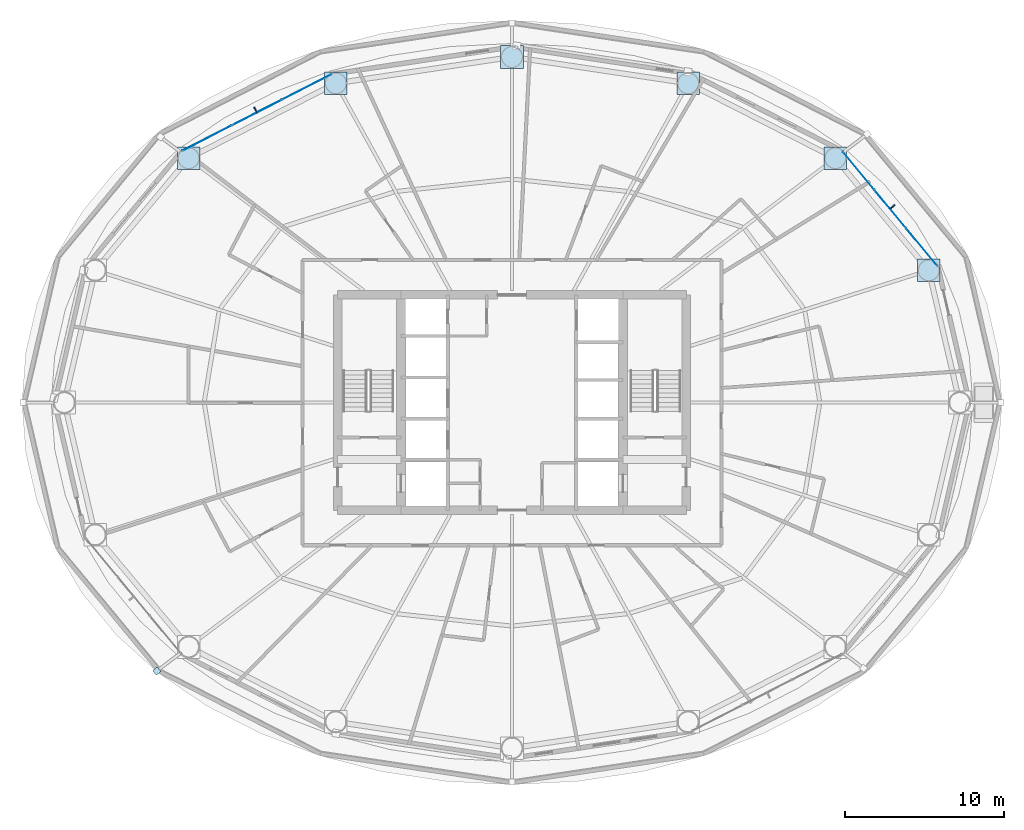
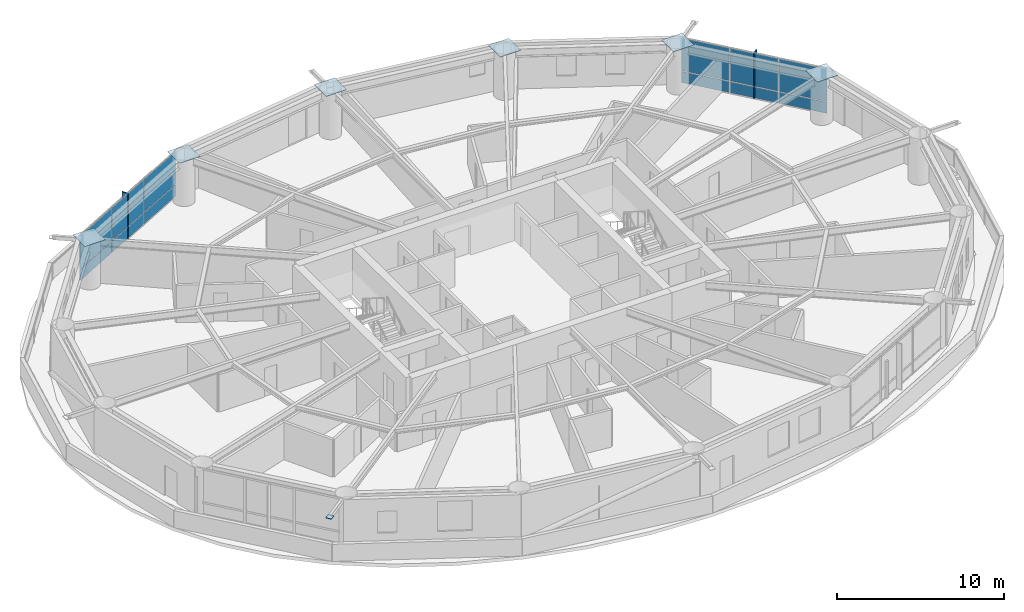
# One storey, part 17 of 25: 21 plates, 2 elements without a shape of their own.
"""IFC4 building model written with IfcOpenShell, lengths in metres."""

from ifc_helpers import new_model, si_unit, direction, frame, origin, origin_2d, place, context, subcontext, project, spatial, rectangle, extrude, material, layer, layer_set, type_object, element, aggregate, save


model = new_model("IFC4")

# Units and contexts
model_context = context("Model", 3, precision=1e-05, world=origin(), true_north=direction((0.0, 1.0)))
body_context = subcontext(model_context, "Body", "Model", "MODEL_VIEW")
ifc_project = project(units=[si_unit("LENGTHUNIT", "METRE"), si_unit("AREAUNIT", "SQUARE_METRE"), si_unit("VOLUMEUNIT", "CUBIC_METRE"), si_unit("PLANEANGLEUNIT", "RADIAN"), si_unit("MASSUNIT", "GRAM", prefix="KILO")], contexts=[model_context])

# Site, building, storey
site_placement = place(None, origin())
site = spatial("IfcSite", under=ifc_project, at=site_placement, CompositionType="ELEMENT")
building_placement = place(site_placement, origin())
building = spatial("IfcBuilding", under=site, at=building_placement, Name="Sarneth Arch Tower", CompositionType="ELEMENT")
storey_placement = place(building_placement, frame((0.0, 0.0, 84.0)))
storey = spatial("IfcBuildingStorey", under=building, at=storey_placement, Name="L20", CompositionType="ELEMENT", Elevation=84.0)

# Curtain wall, plates
ifc_material_1 = material(Name="Anodised aluminium Type AA25 and solar-control low-e laminated IGU", Category="aluminium")
ifc_layer_1 = layer(ifc_material_1, 0.159912109375)
ifc_layer_set_1 = layer_set([ifc_layer_1], Name="Anodised aluminium Type AA25 and solar-control low-e laminated IGU")
curtain_wall_type = type_object("IfcCurtainWallType", Name="CW-HOTEL-MID", PredefinedType="NOTDEFINED", material=ifc_layer_set_1)
curtain_wall_1_placement = place(storey_placement, origin())
curtain_wall_1 = element("IfcCurtainWall", 1, at=curtain_wall_1_placement, inside=storey, type_object=curtain_wall_type, Name="L20 Unitised curtain wall facet 02", PredefinedType="NOTDEFINED")
ifc_material_2 = material(Name="Solar-control low-e laminated IGU", Category="glass")
ifc_layer_2 = layer(ifc_material_2, 0.028076171875)
ifc_layer_set_2 = layer_set([ifc_layer_2], Name="Solar-control low-e laminated IGU")
plate_type_1 = type_object("IfcPlateType", Name="CW-PANEL", PredefinedType="CURTAIN_PANEL", material=ifc_layer_set_2)
plate_1_placement = place(storey_placement, frame((73.84814453125, 51.807861328125, 0.06005859375), z_axis=(0.0, 0.0, 1.0), x_axis=(-0.637515188684, 0.770437787363, 0.0)))
plate_1 = element("IfcPlate", 2, at=plate_1_placement, type_object=plate_type_1, Name="Curtain wall glazed vision pane CW-L20-F02/P00-00", PredefinedType="CURTAIN_PANEL", context=body_context, shape_type="SweptSolid", body=[
    extrude(rectangle(XDim=3.058349609375, YDim=0.028076171875, at=origin_2d()), origin(), (0.0, 0.0, 1.0), 0.81005859375),
])
plate_2_placement = place(storey_placement, frame((73.84814453125, 51.807861328125, 0.93017578125), z_axis=(0.0, 0.0, 1.0), x_axis=(-0.637515188684, 0.770437787363, 0.0)))
plate_2 = element("IfcPlate", 3, at=plate_2_placement, type_object=plate_type_1, Name="Curtain wall glazed vision pane CW-L20-F02/P00-01", PredefinedType="CURTAIN_PANEL", context=body_context, shape_type="SweptSolid", body=[
    extrude(rectangle(XDim=3.058349609375, YDim=0.028076171875, at=origin_2d()), origin(), (0.0, 0.0, 1.0), 2.389892578125),
])
plate_3_placement = place(storey_placement, frame((71.8505859375, 54.221923828125, 0.06005859375), z_axis=(0.0, 0.0, 1.0), x_axis=(-0.637515188684, 0.770437787363, 0.0)))
plate_3 = element("IfcPlate", 4, at=plate_3_placement, type_object=plate_type_1, Name="Curtain wall glazed vision pane CW-L20-F02/P01-00", PredefinedType="CURTAIN_PANEL", context=body_context, shape_type="SweptSolid", body=[
    extrude(rectangle(XDim=3.08837890625, YDim=0.028076171875, at=origin_2d()), origin(), (0.0, 0.0, 1.0), 0.81005859375),
])
plate_4_placement = place(storey_placement, frame((71.8505859375, 54.221923828125, 0.93017578125), z_axis=(0.0, 0.0, 1.0), x_axis=(-0.637515188684, 0.770437787363, 0.0)))
plate_4 = element("IfcPlate", 5, at=plate_4_placement, type_object=plate_type_1, Name="Curtain wall glazed vision pane CW-L20-F02/P01-01", PredefinedType="CURTAIN_PANEL", context=body_context, shape_type="SweptSolid", body=[
    extrude(rectangle(XDim=3.08837890625, YDim=0.028076171875, at=origin_2d()), origin(), (0.0, 0.0, 1.0), 2.389892578125),
])
plate_5_placement = place(storey_placement, frame((69.85302734375, 56.635986328125, 0.06005859375), z_axis=(0.0, 0.0, 1.0), x_axis=(-0.637515188684, 0.770437787363, 0.0)))
plate_5 = element("IfcPlate", 6, at=plate_5_placement, type_object=plate_type_1, Name="Curtain wall glazed vision pane CW-L20-F02/P02-00", PredefinedType="CURTAIN_PANEL", context=body_context, shape_type="SweptSolid", body=[
    extrude(rectangle(XDim=3.058349609375, YDim=0.028076171875, at=origin_2d()), origin(), (0.0, 0.0, 1.0), 0.81005859375),
])
plate_6_placement = place(storey_placement, frame((69.85302734375, 56.635986328125, 0.93017578125), z_axis=(0.0, 0.0, 1.0), x_axis=(-0.637515188684, 0.770437787363, 0.0)))
plate_6 = element("IfcPlate", 7, at=plate_6_placement, type_object=plate_type_1, Name="Curtain wall glazed vision pane CW-L20-F02/P02-01", PredefinedType="CURTAIN_PANEL", context=body_context, shape_type="SweptSolid", body=[
    extrude(rectangle(XDim=3.058349609375, YDim=0.028076171875, at=origin_2d()), origin(), (0.0, 0.0, 1.0), 2.389892578125),
])
aggregate(curtain_wall_1, [plate_1, plate_2, plate_3, plate_4, plate_5, plate_6])

curtain_wall_2_placement = place(storey_placement, origin())
curtain_wall_2 = element("IfcCurtainWall", 8, at=curtain_wall_2_placement, inside=storey, type_object=curtain_wall_type, Name="L20 Unitised curtain wall facet 06", PredefinedType="NOTDEFINED")
plate_7_placement = place(storey_placement, frame((35.053955078125, 61.905517578125, 0.06005859375), z_axis=(0.0, 0.0, 1.0), x_axis=(-0.889963703649, -0.456031365356, 0.0)))
plate_7 = element("IfcPlate", 9, at=plate_7_placement, type_object=plate_type_1, Name="Curtain wall glazed vision pane CW-L20-F06/P00-00", PredefinedType="CURTAIN_PANEL", context=body_context, shape_type="SweptSolid", body=[
    extrude(rectangle(XDim=3.464111328125, YDim=0.028076171875, at=origin_2d()), origin(), (0.0, 0.0, 1.0), 0.81005859375),
])
plate_8_placement = place(storey_placement, frame((35.053955078125, 61.905517578125, 0.93017578125), z_axis=(0.0, 0.0, 1.0), x_axis=(-0.889963703649, -0.456031365356, 0.0)))
plate_8 = element("IfcPlate", 10, at=plate_8_placement, type_object=plate_type_1, Name="Curtain wall glazed vision pane CW-L20-F06/P00-01", PredefinedType="CURTAIN_PANEL", context=body_context, shape_type="SweptSolid", body=[
    extrude(rectangle(XDim=3.464111328125, YDim=0.028076171875, at=origin_2d()), origin(), (0.0, 0.0, 1.0), 2.389892578125),
])
plate_9_placement = place(storey_placement, frame((31.904296875, 60.29150390625, 0.06005859375), z_axis=(0.0, 0.0, 1.0), x_axis=(-0.889963703649, -0.456031365356, 0.0)))
plate_9 = element("IfcPlate", 11, at=plate_9_placement, type_object=plate_type_1, Name="Curtain wall glazed vision pane CW-L20-F06/P01-00", PredefinedType="CURTAIN_PANEL", context=body_context, shape_type="SweptSolid", body=[
    extrude(rectangle(XDim=3.493896484375, YDim=0.028076171875, at=origin_2d()), origin(), (0.0, 0.0, 1.0), 0.81005859375),
])
plate_10_placement = place(storey_placement, frame((31.904296875, 60.29150390625, 0.93017578125), z_axis=(0.0, 0.0, 1.0), x_axis=(-0.889963703649, -0.456031365356, 0.0)))
plate_10 = element("IfcPlate", 12, at=plate_10_placement, type_object=plate_type_1, Name="Curtain wall glazed vision pane CW-L20-F06/P01-01", PredefinedType="CURTAIN_PANEL", context=body_context, shape_type="SweptSolid", body=[
    extrude(rectangle(XDim=3.493896484375, YDim=0.028076171875, at=origin_2d()), origin(), (0.0, 0.0, 1.0), 2.389892578125),
])
plate_11_placement = place(storey_placement, frame((28.7548828125, 58.677734375, 0.06005859375), z_axis=(0.0, 0.0, 1.0), x_axis=(-0.889963703649, -0.456031365356, 0.0)))
plate_11 = element("IfcPlate", 13, at=plate_11_placement, type_object=plate_type_1, Name="Curtain wall glazed vision pane CW-L20-F06/P02-00", PredefinedType="CURTAIN_PANEL", context=body_context, shape_type="SweptSolid", body=[
    extrude(rectangle(XDim=3.464111328125, YDim=0.028076171875, at=origin_2d()), origin(), (0.0, 0.0, 1.0), 0.81005859375),
])
plate_12_placement = place(storey_placement, frame((28.7548828125, 58.677734375, 0.93017578125), z_axis=(0.0, 0.0, 1.0), x_axis=(-0.889963703649, -0.456031365356, 0.0)))
plate_12 = element("IfcPlate", 14, at=plate_12_placement, type_object=plate_type_1, Name="Curtain wall glazed vision pane CW-L20-F06/P02-01", PredefinedType="CURTAIN_PANEL", context=body_context, shape_type="SweptSolid", body=[
    extrude(rectangle(XDim=3.464111328125, YDim=0.028076171875, at=origin_2d()), origin(), (0.0, 0.0, 1.0), 2.389892578125),
])
aggregate(curtain_wall_2, [plate_7, plate_8, plate_9, plate_10, plate_11, plate_12])

# Plates
ifc_material_3 = material(Name="Steel S355", Category="steel")
ifc_layer_3 = layer(ifc_material_3, 0.035888671875)
ifc_layer_set_3 = layer_set([ifc_layer_3], Name="Steel S355")
plate_type_2 = type_object("IfcPlateType", Name="PLT-GUSSET-30", PredefinedType="SHEET", material=ifc_layer_set_3)
plate_13_placement = place(storey_placement, frame((25.59130859375, 25.065185546875, 3.2021484375), z_axis=(0.0, 0.0, 1.0), x_axis=(-0.797794439539, -0.602929541689, 0.0)))
element("IfcPlate", 15, at=plate_13_placement, inside=storey, type_object=plate_type_2, Name="Steel end cap plate GP-1", PredefinedType="SHEET", context=body_context, shape_type="SweptSolid", body=[
    extrude(rectangle(XDim=0.3798828125, YDim=0.3798828125, at=origin_2d()), origin(), (0.0, 0.0, 1.0), 0.035888671875),
])
ifc_material_4 = material(Name="Steel S355", Category="steel")
ifc_layer_4 = layer(ifc_material_4, 0.0400390625)
ifc_layer_set_4 = layer_set([ifc_layer_4], Name="Steel S355")
plate_type_3 = type_object("IfcPlateType", Name="PLT-SPLICE-40", PredefinedType="SHEET", material=ifc_layer_set_4)
for number, where, z_axis, x_axis, name in (
    (16, (74.291259765625, 50.342529296875, 3.36181640625), (0.0, 0.0, 1.0), (1.0, 0.0, 0.0), "Steel end cap plate GP-2"),
    (17, (68.397705078125, 57.4150390625, 3.36181640625), (0.0, 0.0, 1.0), (1.0, 0.0, 0.0), "Steel end cap plate GP-2"),
    (18, (59.1103515625, 62.140625, 3.36181640625), (0.0, 0.0, 1.0), (1.0, 0.0, 0.0), "Steel end cap plate GP-2"),
    (19, (48.0, 63.800048828125, 3.36181640625), (0.0, 0.0, 1.0), (1.0, 0.0, 0.0), "Steel end cap plate GP-2"),
    (20, (36.8896484375, 62.140625, 3.36181640625), (0.0, 0.0, 1.0), (1.0, 0.0, 0.0), "Steel end cap plate GP-2"),
    (21, (27.602294921875, 57.4150390625, 3.36181640625), (0.0, 0.0, 1.0), (1.0, 0.0, 0.0), "Steel end cap plate GP-2"),
):
    element("IfcPlate", number, at=place(storey_placement, frame(where, z_axis=z_axis, x_axis=x_axis)), inside=storey, type_object=plate_type_3, Name=name, PredefinedType="SHEET", context=body_context, shape_type="SweptSolid", body=[
        extrude(rectangle(XDim=1.429931640625, YDim=1.429931640625, at=origin_2d()), origin(), (0.0, 0.0, 1.0), 0.035888671875),
    ])
ifc_material_5 = material(Name="Extruded glazed terracotta baguette fin on Aluminium 6063-T6 carrier", Category="masonry")
ifc_layer_5 = layer(ifc_material_5, 0.080078125)
ifc_layer_set_5 = layer_set([ifc_layer_5], Name="Extruded glazed terracotta baguette fin on Aluminium 6063-T6 carrier")
plate_type_4 = type_object("IfcPlateType", Name="SHADE-TERRA-FIN", PredefinedType="SHEET", material=ifc_layer_set_5)
for number, where, z_axis, x_axis, name in (
    (22, (71.981689453125, 54.330322265625, 0.009765625), (0.0, 0.0, 1.0), (0.770401979567, 0.63755845997, 0.0), "L20 Terracotta vertical shading fin 02"),
    (23, (31.826904296875, 60.44287109375, 0.009765625), (0.0, 0.0, 1.0), (-0.456010959102, 0.889974159838, 0.0), "L20 Terracotta vertical shading fin 06"),
):
    element("IfcPlate", number, at=place(storey_placement, frame(where, z_axis=z_axis, x_axis=x_axis)), inside=storey, type_object=plate_type_4, Name=name, PredefinedType="SHEET", context=body_context, shape_type="SweptSolid", body=[
        extrude(rectangle(XDim=0.419921875, YDim=0.080078125, at=origin_2d()), origin(), (0.0, 0.0, 1.0), 3.360107421875),
    ])

save(model, "model.ifc")
